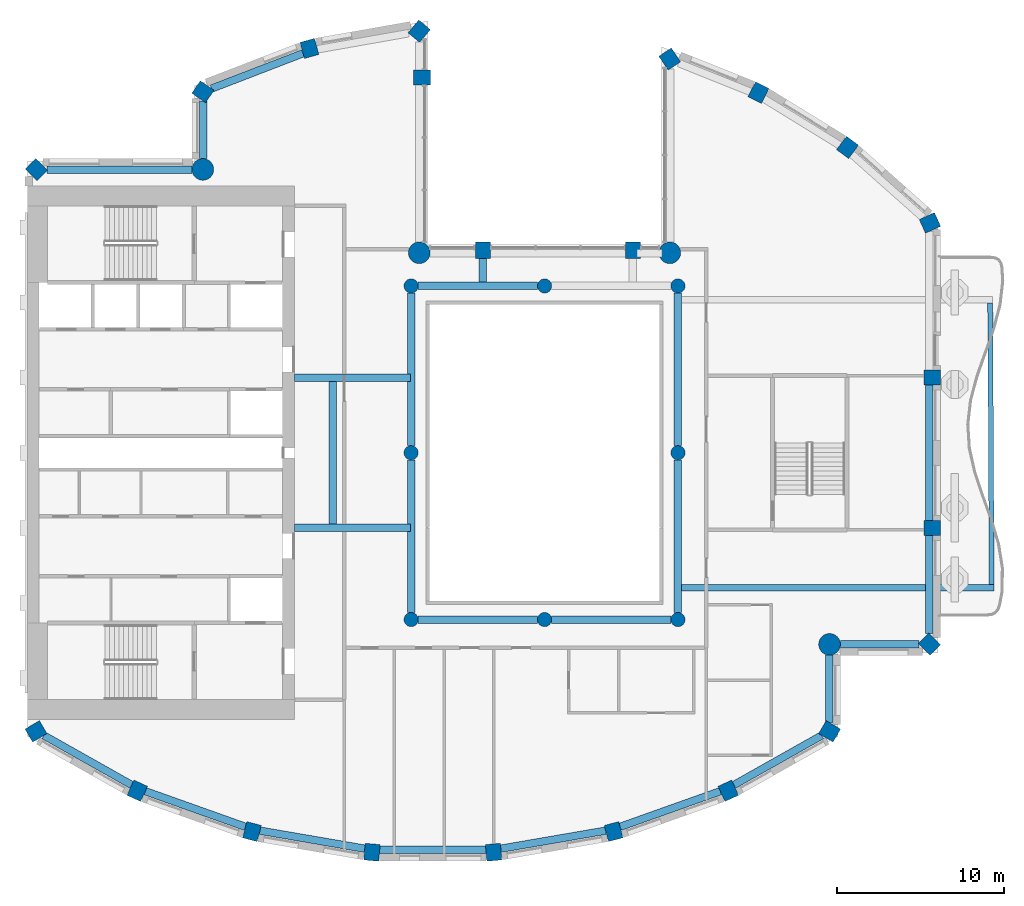
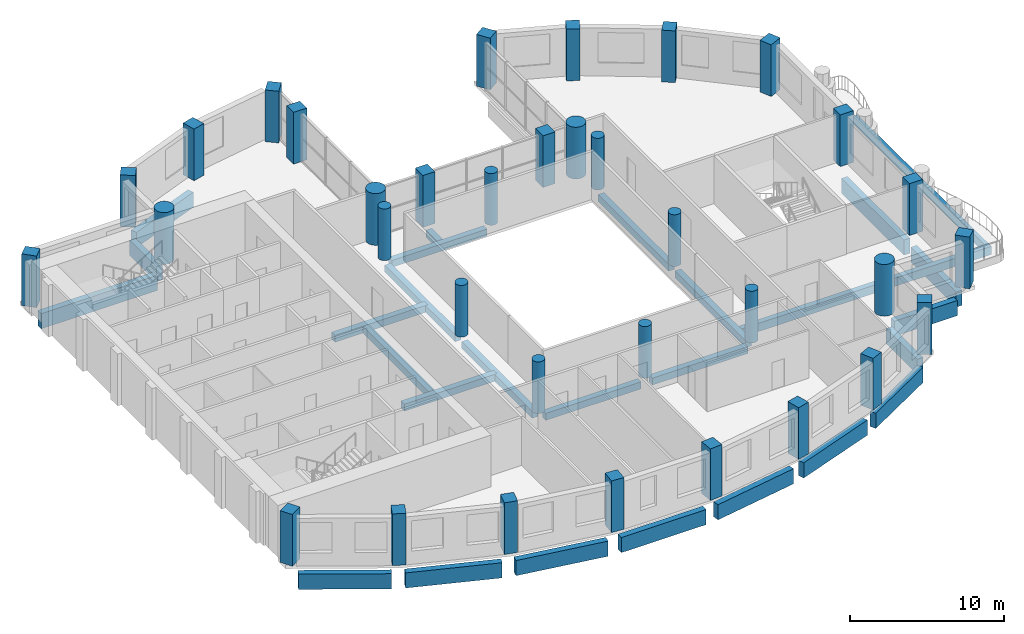
# One storey, part 1 of 14: 34 columns, 27 beams.
"""IFC4 building model written with IfcOpenShell, lengths in metres."""

from ifc_helpers import new_model, si_unit, direction, frame, origin, origin_2d, place, context, subcontext, project, spatial, rectangle, circle, extrude, material, material_profile, profile_set, type_object, element, save


model = new_model("IFC4")

# Units and contexts
model_context = context("Model", 3, precision=1e-05, world=origin(), true_north=direction((0.0, 1.0)))
body_context = subcontext(model_context, "Body", "Model", "MODEL_VIEW")
ifc_project = project(units=[si_unit("LENGTHUNIT", "METRE"), si_unit("AREAUNIT", "SQUARE_METRE"), si_unit("VOLUMEUNIT", "CUBIC_METRE"), si_unit("PLANEANGLEUNIT", "RADIAN"), si_unit("MASSUNIT", "GRAM", prefix="KILO")], contexts=[model_context])

# Site, building, storey
site_placement = place(None, origin())
site = spatial("IfcSite", under=ifc_project, at=site_placement, CompositionType="ELEMENT")
building_placement = place(site_placement, origin())
building = spatial("IfcBuilding", under=site, at=building_placement, Name="Cypress Arch Tower", CompositionType="ELEMENT")
storey_placement = place(building_placement, frame((0.0, 0.0, 268.0)))
storey = spatial("IfcBuildingStorey", under=building, at=storey_placement, Name="L60", CompositionType="ELEMENT", Elevation=268.0)

# Columns
ifc_material_1 = material(Name="Concrete C60/75", Category="concrete")
ifc_material_profile_1 = material_profile(ifc_material_1, rectangle(XDim=0.89990234375, YDim=1.0, at=origin_2d()), Name="RC 900x1000")
ifc_profile_set_1 = profile_set([ifc_material_profile_1], Name="Concrete C60/75")
column_type_1 = type_object("IfcColumnType", Name="Column RC 900x1000 Concrete C60/75", PredefinedType="COLUMN", material=ifc_profile_set_1)
for number, where, z_axis, x_axis, name in (
    (1, (8.5029296875, 23.606201171875, 0.0), (0.0, 0.0, 1.0), (-0.828469606019, -0.560034027451, 0.0), "Column L60 CC00"),
    (2, (6.300048828125, 12.14990234375, 0.0), (0.0, 0.0, 1.0), (-1.0, 0.0, 0.0), "Column L60 CC02"),
    (3, (-2.699951171875, 12.14990234375, 0.0), (0.0, 0.0, 1.0), (-1.0, 0.0, 0.0), "Column L60 CC03"),
    (4, (-6.35009765625, 22.5, 0.0), (0.0, 0.0, 1.0), (0.0, 1.0, 0.0), "Column L60 CC05"),
    (5, (-6.51611328125, 25.27490234375, 0.0), (0.0, 0.0, 1.0), (-0.766063514674, 0.642764880407, 0.0), "Column L60 CC06"),
    (6, (-13.0947265625, 24.241455078125, 0.0), (0.0, 0.0, 1.0), (-0.96345574646, -0.267867550506, 0.0), "Column L60 CC07"),
    (7, (-19.483154296875, 21.645263671875, 0.0), (0.0, 0.0, 1.0), (-0.565892599589, -0.824478966215, 0.0), "Column L60 CC08"),
    (8, (-29.478271484375, 16.978271484375, 0.0), (0.0, 0.0, 1.0), (-0.707106781187, -0.707106781187, 0.0), "Column L60 CC10"),
    (9, (-29.4912109375, -16.702880859375, 0.0), (0.0, 0.0, 1.0), (0.504399289829, -0.86347053014, 0.0), "Column L60 CC11"),
    (10, (-23.4189453125, -20.266845703125, 0.0), (0.0, 0.0, 1.0), (0.909932071487, -0.414757308891, 0.0), "Column L60 CC12"),
    (11, (-16.541748046875, -22.714599609375, 0.0), (0.0, 0.0, 1.0), (0.96735573689, -0.2534223319, 0.0), "Column L60 CC13"),
    (12, (-9.346923828125, -23.95361328125, 0.0), (0.0, 0.0, 1.0), (0.996368206733, -0.085149260784, 0.0), "Column L60 CC14"),
    (13, (-2.052978515625, -23.95361328125, 0.0), (0.0, 0.0, 1.0), (0.996368206733, 0.085149260784, 0.0), "Column L60 CC15"),
    (14, (5.1416015625, -22.714599609375, 0.0), (0.0, 0.0, 1.0), (0.96735573689, 0.2534223319, 0.0), "Column L60 CC16"),
    (15, (12.01904296875, -20.266845703125, 0.0), (0.0, 0.0, 1.0), (0.909932071487, 0.414757308891, 0.0), "Column L60 CC17"),
    (16, (18.09130859375, -16.702880859375, 0.0), (0.0, 0.0, 1.0), (0.504399289829, 0.86347053014, 0.0), "Column L60 CC18"),
    (17, (24.078369140625, -11.478271484375, 0.0), (0.0, 0.0, 1.0), (0.707106781187, 0.707106781187, 0.0), "Column L60 CC20"),
    (18, (24.25, -4.5, 0.0), (0.0, 0.0, 1.0), (0.0, 1.0, 0.0), "Column L60 CC21"),
    (19, (24.25, 4.5, 0.0), (0.0, 0.0, 1.0), (0.0, 1.0, 0.0), "Column L60 CC22"),
    (20, (24.109619140625, 13.77978515625, 0.0), (0.0, 0.0, 1.0), (-0.409765058504, 0.912191096662, 0.0), "Column L60 CC23"),
    (21, (19.168212890625, 18.307861328125, 0.0), (0.0, 0.0, 1.0), (-0.802798546114, 0.596250362144, 0.0), "Column L60 CC24"),
    (22, (13.82568359375, 21.59375, 0.0), (0.0, 0.0, 1.0), (-0.893106499805, 0.44984528452, 0.0), "Column L60 CC25"),
):
    element("IfcColumn", number, at=place(storey_placement, frame(where, z_axis=z_axis, x_axis=x_axis)), inside=storey, type_object=column_type_1, Name=name, PredefinedType="COLUMN", context=body_context, shape_type="SweptSolid", body=[
        extrude(rectangle(XDim=0.89990234375, YDim=1.0, at=origin_2d()), origin(), (0.0, 0.0, 1.0), 4.10009765625),
    ])
ifc_material_2 = material(Name="Concrete C60/75", Category="concrete")
ifc_material_profile_2 = material_profile(ifc_material_2, circle(Radius=0.425048828125, at=origin_2d()), Name="RC D850")
ifc_profile_set_2 = profile_set([ifc_material_profile_2], Name="Concrete C60/75")
column_type_2 = type_object("IfcColumnType", Name="Column RC D850 Concrete C60/75", PredefinedType="COLUMN", material=ifc_profile_set_2)
for number, where, z_axis, x_axis, name in (
    (23, (-7.0, -10.0, 0.0), (0.0, 0.0, 1.0), (1.0, 0.0, 0.0), "Column L60 RNG-L60-G-7-10"),
    (24, (-7.0, 0.0, 0.0), (0.0, 0.0, 1.0), (1.0, 0.0, 0.0), "Column L60 RNG-L60-G-7+0"),
    (25, (-7.0, 10.0, 0.0), (0.0, 0.0, 1.0), (1.0, 0.0, 0.0), "Column L60 RNG-L60-G-7+10"),
    (26, (1.0, -10.0, 0.0), (0.0, 0.0, 1.0), (1.0, 0.0, 0.0), "Column L60 RNG-L60-G+1-10"),
    (27, (1.0, 10.0, 0.0), (0.0, 0.0, 1.0), (1.0, 0.0, 0.0), "Column L60 RNG-L60-G+1+10"),
    (28, (9.0, -10.0, 0.0), (0.0, 0.0, 1.0), (1.0, 0.0, 0.0), "Column L60 RNG-L60-G+9-10"),
    (29, (9.0, 0.0, 0.0), (0.0, 0.0, 1.0), (1.0, 0.0, 0.0), "Column L60 RNG-L60-G+9+0"),
    (30, (9.0, 10.0, 0.0), (0.0, 0.0, 1.0), (1.0, 0.0, 0.0), "Column L60 RNG-L60-G+9+10"),
):
    element("IfcColumn", number, at=place(storey_placement, frame(where, z_axis=z_axis, x_axis=x_axis)), inside=storey, type_object=column_type_2, Name=name, PredefinedType="COLUMN", context=body_context, shape_type="SweptSolid", body=[
        extrude(circle(Radius=0.425048828125, at=origin_2d()), origin(), (0.0, 0.0, 1.0), 4.10009765625),
    ])
ifc_material_3 = material(Name="Concrete C60/75", Category="concrete")
ifc_material_profile_3 = material_profile(ifc_material_3, circle(Radius=0.64990234375, at=origin_2d()), Name="RC D1300")
ifc_profile_set_3 = profile_set([ifc_material_profile_3], Name="Concrete C60/75")
column_type_3 = type_object("IfcColumnType", Name="Mega-column RC D1300 Concrete C60/75", PredefinedType="COLUMN", material=ifc_profile_set_3)
for number, where, z_axis, x_axis, name in (
    (31, (8.51220703125, 11.98779296875, 0.0), (0.0, 0.0, 1.0), (1.0, 0.0, 0.0), "Column L60 CC01"),
    (32, (-6.51220703125, 11.98779296875, 0.0), (0.0, 0.0, 1.0), (1.0, 0.0, 0.0), "Column L60 CC04"),
    (33, (-19.48779296875, 16.98779296875, 0.0), (0.0, 0.0, 1.0), (1.0, 0.0, 0.0), "Column L60 CC09"),
    (34, (18.087890625, -11.48779296875, 0.0), (0.0, 0.0, 1.0), (1.0, 0.0, 0.0), "Column L60 CC19"),
):
    element("IfcColumn", number, at=place(storey_placement, frame(where, z_axis=z_axis, x_axis=x_axis)), inside=storey, type_object=column_type_3, Name=name, PredefinedType="COLUMN", context=body_context, shape_type="SweptSolid", body=[
        extrude(circle(Radius=0.64990234375, at=origin_2d()), origin(), (0.0, 0.0, 1.0), 4.10009765625),
    ])

# Beams
ifc_material_4 = material(Name="Concrete C50/60", Category="concrete")
ifc_material_profile_4 = material_profile(ifc_material_4, rectangle(XDim=0.300048828125, YDim=0.64990234375, at=origin_2d()), Name="RC 300x650")
ifc_profile_set_4 = profile_set([ifc_material_profile_4], Name="Concrete C50/60")
beam_type_1 = type_object("IfcBeamType", Name="Balcony edge beam RC 300x650 Concrete C50/60", PredefinedType="BEAM", material=ifc_profile_set_4)
beam_1_placement = place(storey_placement, frame((27.810302734375, -7.89990234375, -0.625), z_axis=(-0.005307151473, 0.999985916972, 0.0), x_axis=(-0.999985916972, -0.005307151473, 0.0)))
element("IfcBeam", 35, at=beam_1_placement, inside=storey, type_object=beam_type_1, Name="Balcony edge beam L60 C17", PredefinedType="BEAM", context=body_context, shape_type="SweptSolid", body=[
    extrude(rectangle(XDim=0.300048828125, YDim=0.64990234375, at=origin_2d()), origin(), (0.0, 0.0, 1.0), 16.8828125),
])
ifc_material_5 = material(Name="Concrete C50/60", Category="concrete")
ifc_material_profile_5 = material_profile(ifc_material_5, rectangle(XDim=0.39990234375, YDim=0.64990234375, at=origin_2d()), Name="RC 400x650")
ifc_profile_set_5 = profile_set([ifc_material_profile_5], Name="Concrete C50/60")
beam_type_2 = type_object("IfcBeamType", Name="Cantilever beam RC 400x650 Concrete C50/60", PredefinedType="BEAM", material=ifc_profile_set_5)
beam_2_placement = place(storey_placement, frame((9.22509765625, -8.10009765625, -0.625), z_axis=(1.0, 0.0, 0.0), x_axis=(0.0, 1.0, 0.0)))
element("IfcBeam", 36, at=beam_2_placement, inside=storey, type_object=beam_type_2, Name="Cantilever beam L60 C17 1", PredefinedType="BEAM", context=body_context, shape_type="SweptSolid", body=[
    extrude(rectangle(XDim=0.39990234375, YDim=0.64990234375, at=origin_2d()), origin(), (0.0, 0.0, 1.0), 18.7353515625),
])
ifc_material_6 = material(Name="Concrete C50/60", Category="concrete")
ifc_material_profile_6 = material_profile(ifc_material_6, rectangle(XDim=0.449951171875, YDim=0.550048828125, at=origin_2d()), Name="RC 450x550")
ifc_profile_set_6 = profile_set([ifc_material_profile_6], Name="Concrete C50/60")
beam_type_3 = type_object("IfcBeamType", Name="Floor beam RC 450x550 Concrete C50/60", PredefinedType="BEAM", material=ifc_profile_set_6)
for number, where, z_axis, x_axis, name in (
    (37, (-7.0, -9.574951171875, -0.574951171875), (0.0, 1.0, 0.0), (-1.0, 0.0, 0.0), "Floor beam L60 RB001"),
    (38, (-7.0, 0.425048828125, -0.574951171875), (0.0, 1.0, 0.0), (-1.0, 0.0, 0.0), "Floor beam L60 RB002"),
    (39, (9.0, -9.574951171875, -0.574951171875), (0.0, 1.0, 0.0), (-1.0, 0.0, 0.0), "Floor beam L60 RB003"),
    (40, (9.0, 0.425048828125, -0.574951171875), (0.0, 1.0, 0.0), (-1.0, 0.0, 0.0), "Floor beam L60 RB004"),
):
    element("IfcBeam", number, at=place(storey_placement, frame(where, z_axis=z_axis, x_axis=x_axis)), inside=storey, type_object=beam_type_3, Name=name, PredefinedType="BEAM", context=body_context, shape_type="SweptSolid", body=[
        extrude(rectangle(XDim=0.449951171875, YDim=0.550048828125, at=origin_2d()), origin(), (0.0, 0.0, 1.0), 9.14990234375),
    ])
for number, where, z_axis, x_axis, name in (
    (41, (-6.574951171875, -10.0, -0.574951171875), (1.0, 0.0, 0.0), (0.0, 1.0, 0.0), "Floor beam L60 RB005"),
    (42, (1.425048828125, -10.0, -0.574951171875), (1.0, 0.0, 0.0), (0.0, 1.0, 0.0), "Floor beam L60 RB006"),
    (43, (-6.574951171875, 10.0, -0.574951171875), (1.0, 0.0, 0.0), (0.0, 1.0, 0.0), "Floor beam L60 RB007"),
):
    element("IfcBeam", number, at=place(storey_placement, frame(where, z_axis=z_axis, x_axis=x_axis)), inside=storey, type_object=beam_type_3, Name=name, PredefinedType="BEAM", context=body_context, shape_type="SweptSolid", body=[
        extrude(rectangle(XDim=0.449951171875, YDim=0.550048828125, at=origin_2d()), origin(), (0.0, 0.0, 1.0), 7.14990234375),
    ])
for number, where, z_axis, x_axis, name in (
    (44, (-14.0, -4.5, -0.574951171875), (1.0, 0.0, 0.0), (0.0, 1.0, 0.0), "Floor beam L60 FB009"),
    (45, (-14.0, 4.5, -0.574951171875), (1.0, 0.0, 0.0), (0.0, 1.0, 0.0), "Floor beam L60 FB010"),
):
    element("IfcBeam", number, at=place(storey_placement, frame(where, z_axis=z_axis, x_axis=x_axis)), inside=storey, type_object=beam_type_3, Name=name, PredefinedType="BEAM", context=body_context, shape_type="SweptSolid", body=[
        extrude(rectangle(XDim=0.449951171875, YDim=0.550048828125, at=origin_2d()), origin(), (0.0, 0.0, 1.0), 6.949951171875),
    ])
beam_3_placement = place(storey_placement, frame((-11.699951171875, -4.27490234375, -0.574951171875), z_axis=(0.0, 1.0, 0.0), x_axis=(-1.0, 0.0, 0.0)))
element("IfcBeam", 46, at=beam_3_placement, inside=storey, type_object=beam_type_3, Name="Floor beam L60 FB011", PredefinedType="BEAM", context=body_context, shape_type="SweptSolid", body=[
    extrude(rectangle(XDim=0.449951171875, YDim=0.550048828125, at=origin_2d()), origin(), (0.0, 0.0, 1.0), 8.5498046875),
])
beam_4_placement = place(storey_placement, frame((-2.699951171875, 10.22509765625, -0.574951171875), z_axis=(0.0, 1.0, 0.0), x_axis=(-1.0, 0.0, 0.0)))
element("IfcBeam", 47, at=beam_4_placement, inside=storey, type_object=beam_type_3, Name="Floor beam L60 FB012", PredefinedType="BEAM", context=body_context, shape_type="SweptSolid", body=[
    extrude(rectangle(XDim=0.449951171875, YDim=0.550048828125, at=origin_2d()), origin(), (0.0, 0.0, 1.0), 1.4248046875),
])
ifc_material_7 = material(Name="Concrete C50/60", Category="concrete")
ifc_material_profile_7 = material_profile(ifc_material_7, rectangle(XDim=0.449951171875, YDim=1.199951171875, at=origin_2d()), Name="RC 450x1200")
ifc_profile_set_7 = profile_set([ifc_material_profile_7], Name="Concrete C50/60")
beam_type_4 = type_object("IfcBeamType", Name="Spandrel beam RC 450x1200 Concrete C50/60", PredefinedType="SPANDREL", material=ifc_profile_set_7)
beam_5_placement = place(storey_placement, frame((-13.48046875, 23.94921875, -1.550048828125), z_axis=(-0.933138853319, -0.359516175472, 0.0), x_axis=(0.359516175472, -0.933138853319, 0.0)))
element("IfcBeam", 48, at=beam_5_placement, inside=storey, type_object=beam_type_4, Name="Spandrel beam L60 BC04-0", PredefinedType="SPANDREL", context=body_context, shape_type="SweptSolid", body=[
    extrude(rectangle(XDim=0.449951171875, YDim=1.199951171875, at=origin_2d()), origin(), (0.0, 0.0, 1.0), 5.878173828125),
])
beam_6_placement = place(storey_placement, frame((-19.47509765625, 21.09375, -1.550048828125), z_axis=(0.0, -1.0, 0.0), x_axis=(1.0, 0.0, 0.0)))
element("IfcBeam", 49, at=beam_6_placement, inside=storey, type_object=beam_type_4, Name="Spandrel beam L60 BC05-0", PredefinedType="SPANDREL", context=body_context, shape_type="SweptSolid", body=[
    extrude(rectangle(XDim=0.449951171875, YDim=1.199951171875, at=origin_2d()), origin(), (0.0, 0.0, 1.0), 3.456298828125),
])
beam_7_placement = place(storey_placement, frame((-20.137451171875, 16.97509765625, -1.550048828125), z_axis=(-1.0, 0.0, 0.0), x_axis=(0.0, -1.0, 0.0)))
element("IfcBeam", 50, at=beam_7_placement, inside=storey, type_object=beam_type_4, Name="Spandrel beam L60 BC06-0", PredefinedType="SPANDREL", context=body_context, shape_type="SweptSolid", body=[
    extrude(rectangle(XDim=0.449951171875, YDim=1.199951171875, at=origin_2d()), origin(), (0.0, 0.0, 1.0), 8.701171875),
])
beam_8_placement = place(storey_placement, frame((-29.02099609375, -16.94921875, -1.550048828125), z_axis=(0.871059543975, -0.491177433165, 0.0), x_axis=(0.491177433165, 0.871059543975, 0.0)))
element("IfcBeam", 51, at=beam_8_placement, inside=storey, type_object=beam_type_4, Name="Spandrel beam L60 BC08-0", PredefinedType="SPANDREL", context=body_context, shape_type="SweptSolid", body=[
    extrude(rectangle(XDim=0.449951171875, YDim=1.199951171875, at=origin_2d()), origin(), (0.0, 0.0, 1.0), 6.045654296875),
])
beam_9_placement = place(storey_placement, frame((-22.93603515625, -20.2919921875, -1.550048828125), z_axis=(0.942120065582, -0.33527568064, 0.0), x_axis=(0.33527568064, 0.942120065582, 0.0)))
element("IfcBeam", 52, at=beam_9_placement, inside=storey, type_object=beam_type_4, Name="Spandrel beam L60 BC09-0", PredefinedType="SPANDREL", context=body_context, shape_type="SweptSolid", body=[
    extrude(rectangle(XDim=0.449951171875, YDim=1.199951171875, at=origin_2d()), origin(), (0.0, 0.0, 1.0), 6.373046875),
])
beam_10_placement = place(storey_placement, frame((-16.061279296875, -22.656982421875, -1.550048828125), z_axis=(0.985502990778, -0.169658053646, 0.0), x_axis=(0.169658053646, 0.985502990778, 0.0)))
element("IfcBeam", 53, at=beam_10_placement, inside=storey, type_object=beam_type_4, Name="Spandrel beam L60 BC10-0", PredefinedType="SPANDREL", context=body_context, shape_type="SweptSolid", body=[
    extrude(rectangle(XDim=0.449951171875, YDim=1.199951171875, at=origin_2d()), origin(), (0.0, 0.0, 1.0), 6.373291015625),
])
beam_11_placement = place(storey_placement, frame((-8.883544921875, -23.81494140625, -1.550048828125), z_axis=(1.0, 0.0, 0.0), x_axis=(0.0, 1.0, 0.0)))
element("IfcBeam", 54, at=beam_11_placement, inside=storey, type_object=beam_type_4, Name="Spandrel beam L60 BC11-0", PredefinedType="SPANDREL", context=body_context, shape_type="SweptSolid", body=[
    extrude(rectangle(XDim=0.449951171875, YDim=1.199951171875, at=origin_2d()), origin(), (0.0, 0.0, 1.0), 6.366943359375),
])
beam_12_placement = place(storey_placement, frame((-1.619873046875, -23.73828125, -1.550048828125), z_axis=(0.985504093315, 0.169651649149, 0.0), x_axis=(-0.169651649149, 0.985504093315, 0.0)))
element("IfcBeam", 55, at=beam_12_placement, inside=storey, type_object=beam_type_4, Name="Spandrel beam L60 BC12-0", PredefinedType="SPANDREL", context=body_context, shape_type="SweptSolid", body=[
    extrude(rectangle(XDim=0.449951171875, YDim=1.199951171875, at=origin_2d()), origin(), (0.0, 0.0, 1.0), 6.37353515625),
])
beam_13_placement = place(storey_placement, frame((5.531982421875, -22.4287109375, -1.550048828125), z_axis=(0.942115759102, 0.335287781541, 0.0), x_axis=(-0.335287781541, 0.942115759102, 0.0)))
element("IfcBeam", 56, at=beam_13_placement, inside=storey, type_object=beam_type_4, Name="Spandrel beam L60 BC13-0", PredefinedType="SPANDREL", context=body_context, shape_type="SweptSolid", body=[
    extrude(rectangle(XDim=0.449951171875, YDim=1.199951171875, at=origin_2d()), origin(), (0.0, 0.0, 1.0), 6.372802734375),
])
beam_14_placement = place(storey_placement, frame((12.35498046875, -19.918701171875, -1.550048828125), z_axis=(0.871059543975, 0.491177433165, 0.0), x_axis=(-0.491177433165, 0.871059543975, 0.0)))
element("IfcBeam", 57, at=beam_14_placement, inside=storey, type_object=beam_type_4, Name="Spandrel beam L60 BC14-0", PredefinedType="SPANDREL", context=body_context, shape_type="SweptSolid", body=[
    extrude(rectangle(XDim=0.449951171875, YDim=1.199951171875, at=origin_2d()), origin(), (0.0, 0.0, 1.0), 6.045654296875),
])
beam_15_placement = place(storey_placement, frame((18.074951171875, -16.172119140625, -1.550048828125), z_axis=(0.0, 1.0, 0.0), x_axis=(-1.0, 0.0, 0.0)))
element("IfcBeam", 58, at=beam_15_placement, inside=storey, type_object=beam_type_4, Name="Spandrel beam L60 BC15-0", PredefinedType="SPANDREL", context=body_context, shape_type="SweptSolid", body=[
    extrude(rectangle(XDim=0.449951171875, YDim=1.199951171875, at=origin_2d()), origin(), (0.0, 0.0, 1.0), 4.03466796875),
])
beam_16_placement = place(storey_placement, frame((18.737548828125, -11.47509765625, -1.550048828125), z_axis=(1.0, 0.0, 0.0), x_axis=(0.0, 1.0, 0.0)))
element("IfcBeam", 59, at=beam_16_placement, inside=storey, type_object=beam_type_4, Name="Spandrel beam L60 BC16-0", PredefinedType="SPANDREL", context=body_context, shape_type="SweptSolid", body=[
    extrude(rectangle(XDim=0.449951171875, YDim=1.199951171875, at=origin_2d()), origin(), (0.0, 0.0, 1.0), 4.701171875),
])
beam_17_placement = place(storey_placement, frame((24.074951171875, -10.838623046875, -1.550048828125), z_axis=(0.0, 1.0, 0.0), x_axis=(-1.0, 0.0, 0.0)))
element("IfcBeam", 60, at=beam_17_placement, inside=storey, type_object=beam_type_4, Name="Spandrel beam L60 BC17-0", PredefinedType="SPANDREL", context=body_context, shape_type="SweptSolid", body=[
    extrude(rectangle(XDim=0.449951171875, YDim=1.199951171875, at=origin_2d()), origin(), (0.0, 0.0, 1.0), 5.888671875),
])
beam_18_placement = place(storey_placement, frame((24.074951171875, -4.050048828125, -1.550048828125), z_axis=(0.0, 1.0, 0.0), x_axis=(-1.0, 0.0, 0.0)))
element("IfcBeam", 61, at=beam_18_placement, inside=storey, type_object=beam_type_4, Name="Spandrel beam L60 BC17-1", PredefinedType="SPANDREL", context=body_context, shape_type="SweptSolid", body=[
    extrude(rectangle(XDim=0.449951171875, YDim=1.199951171875, at=origin_2d()), origin(), (0.0, 0.0, 1.0), 8.10009765625),
])

save(model, "model.ifc")
